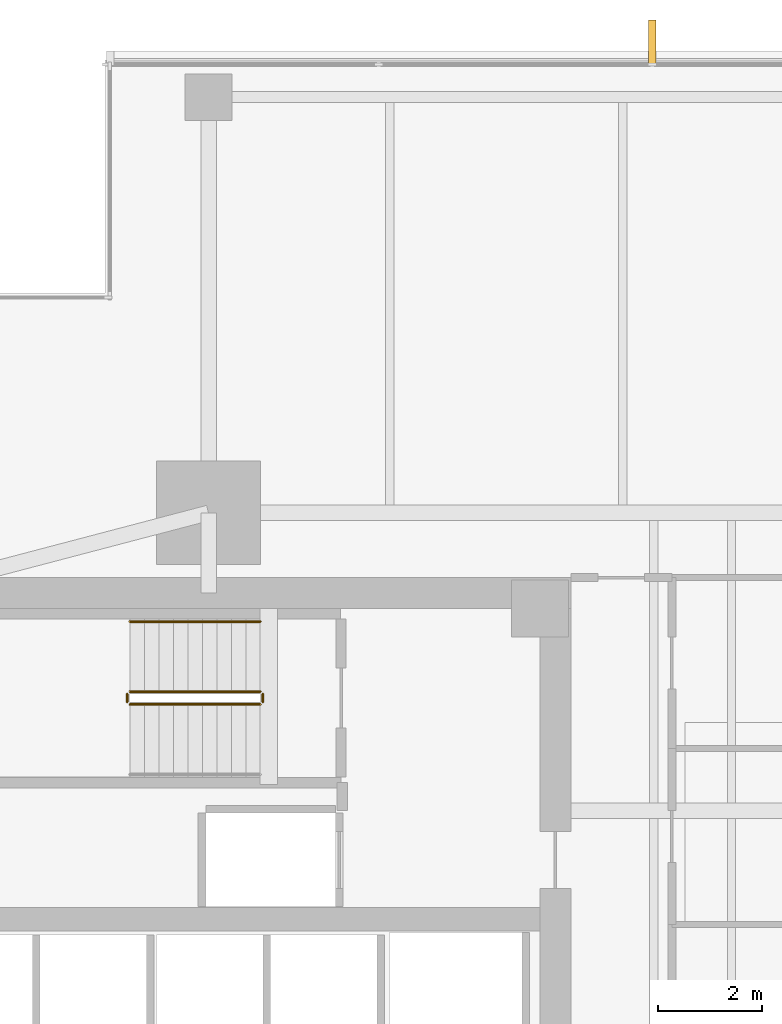
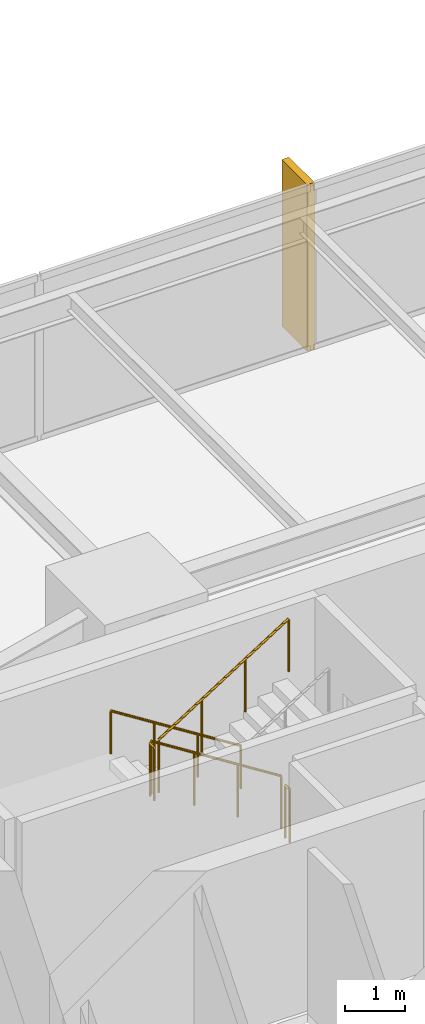
# One storey, part 13 of 14: 5 railings, 1 covering.
"""IFC4 building model written with IfcOpenShell, lengths in metres."""

from ifc_helpers import new_model, si_unit, direction, frame, origin, origin_2d, place, context, subcontext, project, spatial, polyline, circle, outline, extrude, material, layer, layer_set, type_object, element, save


model = new_model("IFC4")

# Units and contexts
model_context = context("Model", 3, precision=1e-05, world=origin(), true_north=direction((0.0, 1.0)))
body_context = subcontext(model_context, "Body", "Model", "MODEL_VIEW")
ifc_project = project(units=[si_unit("LENGTHUNIT", "METRE"), si_unit("AREAUNIT", "SQUARE_METRE"), si_unit("VOLUMEUNIT", "CUBIC_METRE"), si_unit("PLANEANGLEUNIT", "RADIAN"), si_unit("MASSUNIT", "GRAM", prefix="KILO")], contexts=[model_context])

# Site, building, storey
site_placement = place(None, origin())
site = spatial("IfcSite", under=ifc_project, at=site_placement, CompositionType="ELEMENT")
building_placement = place(site_placement, origin())
building = spatial("IfcBuilding", under=site, at=building_placement, Name="Kinhvarn Gate Tower", CompositionType="ELEMENT")
storey_placement = place(building_placement, frame((0.0, 0.0, 134.199951171875)))
storey = spatial("IfcBuildingStorey", under=building, at=storey_placement, Name="L35", CompositionType="ELEMENT", Elevation=134.199951171875)

# Covering
ifc_material_1 = material(Name="Fired architectural terracotta", Category="masonry")
ifc_layer = layer(ifc_material_1, 0.139892578125)
ifc_layer_set = layer_set([ifc_layer], Name="Fired architectural terracotta")
covering_type = type_object("IfcCoveringType", Name="COV-FIN-850", PredefinedType="CLADDING", material=ifc_layer_set)
covering_placement = place(storey_placement, frame((0.0, 0.0, -0.02001953125)))
element("IfcCovering", 1, at=covering_placement, inside=storey, type_object=covering_type, Name="Vertical Terracotta Expressive Fin TFN-850 (L35)", PredefinedType="CLADDING", context=body_context, shape_type="SweptSolid", body=[
    extrude(outline(polyline([(19.641357421875, 46.419921875), (19.50146484375, 46.419921875), (19.50146484375, 47.27001953125), (19.641357421875, 47.27001953125), (19.641357421875, 46.419921875)])), origin(), (0.0, 0.0, 1.0), 3.41015625),
])

# Railings
ifc_material_2 = material(Name="Steel S355", Category="steel")
railing_type_1 = type_object("IfcRailingType", Name="RL-ST-GRD", PredefinedType="BALUSTRADE", material=ifc_material_2)
railing_1_placement = place(storey_placement, frame((12.0, 34.300048828125, 0.177490234375)))
element("IfcRailing", 2, at=railing_1_placement, inside=storey, type_object=railing_type_1, Name="L35 ST2 stair guard 1", PredefinedType="BALUSTRADE", context=body_context, shape_type="SweptSolid", body=[
    extrude(circle(Radius=0.02392578125, at=origin_2d()), frame((0.0, 0.0, 1.076171875), z_axis=(-0.84456994832, 0.0, 0.535445237532), x_axis=(0.0, -1.0, 0.0)), (0.0, 0.0, 1.0), 2.98388671875),
    extrude(circle(Radius=0.02099609375, at=origin_2d()), origin(), (0.0, 0.0, 1.0), 1.052001953125),
    extrude(circle(Radius=0.02099609375, at=origin_2d()), frame((-0.840087890625, 0.0, 0.532470703125)), (0.0, 0.0, 1.0), 1.052001953125),
    extrude(circle(Radius=0.02099609375, at=origin_2d()), frame((-1.679931640625, 0.0, 1.065185546875)), (0.0, 0.0, 1.0), 1.052001953125),
    extrude(circle(Radius=0.02099609375, at=origin_2d()), frame((-2.52001953125, 0.0, 1.59765625)), (0.0, 0.0, 1.0), 1.052001953125),
])
railing_2_placement = place(storey_placement, frame((9.429931640625, 34.25, 1.775146484375)))
element("IfcRailing", 3, at=railing_2_placement, inside=storey, type_object=railing_type_1, Name="L35 ST2 stair guard 2", PredefinedType="BALUSTRADE", context=body_context, shape_type="SweptSolid", body=[
    extrude(circle(Radius=0.02392578125, at=origin_2d()), frame((0.0, 0.0, 1.076171875), z_axis=(0.0, -1.0, 0.0), x_axis=(1.0, 0.0, 0.0)), (0.0, 0.0, 1.0), 0.14990234375),
    extrude(circle(Radius=0.02099609375, at=origin_2d()), origin(), (0.0, 0.0, 1.0), 1.052001953125),
    extrude(circle(Radius=0.02099609375, at=origin_2d()), frame((0.0, -0.14990234375, 0.0)), (0.0, 0.0, 1.0), 1.052001953125),
])
railing_3_placement = place(storey_placement, frame((9.47998046875, 34.050048828125, 1.95263671875)))
element("IfcRailing", 4, at=railing_3_placement, inside=storey, type_object=railing_type_1, Name="L35 ST2 stair guard 3", PredefinedType="BALUSTRADE", context=body_context, shape_type="SweptSolid", body=[
    extrude(circle(Radius=0.02392578125, at=origin_2d()), frame((0.0, 0.0, 1.076171875), z_axis=(0.84460694969, 0.0, 0.535386869969), x_axis=(0.0, 1.0, 0.0)), (0.0, 0.0, 1.0), 2.983642578125),
    extrude(circle(Radius=0.02099609375, at=origin_2d()), origin(), (0.0, 0.0, 1.0), 1.052001953125),
    extrude(circle(Radius=0.02099609375, at=origin_2d()), frame((0.840087890625, 0.0, 0.532470703125)), (0.0, 0.0, 1.0), 1.052001953125),
    extrude(circle(Radius=0.02099609375, at=origin_2d()), frame((1.679931640625, 0.0, 1.06494140625)), (0.0, 0.0, 1.0), 1.052001953125),
    extrude(circle(Radius=0.02099609375, at=origin_2d()), frame((2.52001953125, 0.0, 1.597412109375)), (0.0, 0.0, 1.0), 1.052001953125),
])
railing_4_placement = place(storey_placement, frame((12.050048828125, 34.25, 0.0)))
element("IfcRailing", 5, at=railing_4_placement, inside=storey, type_object=railing_type_1, Name="L35 ST2 stair guard 4", PredefinedType="BALUSTRADE", context=body_context, shape_type="SweptSolid", body=[
    extrude(circle(Radius=0.02392578125, at=origin_2d()), frame((0.0, 0.0, 1.076171875), z_axis=(0.0, -1.0, 0.0), x_axis=(1.0, 0.0, 0.0)), (0.0, 0.0, 1.0), 0.14990234375),
    extrude(circle(Radius=0.02099609375, at=origin_2d()), origin(), (0.0, 0.0, 1.0), 1.052001953125),
    extrude(circle(Radius=0.02099609375, at=origin_2d()), frame((0.0, -0.14990234375, 0.0)), (0.0, 0.0, 1.0), 1.052001953125),
])
railing_type_2 = type_object("IfcRailingType", Name="RL-ST-HND", PredefinedType="HANDRAIL", material=ifc_material_2)
railing_5_placement = place(storey_placement, frame((12.0, 35.64990234375, 0.177490234375)))
element("IfcRailing", 6, at=railing_5_placement, inside=storey, type_object=railing_type_2, Name="L35 ST2 stair handrail 1", PredefinedType="HANDRAIL", context=body_context, shape_type="SweptSolid", body=[
    extrude(circle(Radius=0.02392578125, at=origin_2d()), frame((0.0, 0.0, 0.8759765625), z_axis=(-0.84456994832, 0.0, 0.535445237532), x_axis=(0.0, -1.0, 0.0)), (0.0, 0.0, 1.0), 2.98388671875),
    extrude(circle(Radius=0.02099609375, at=origin_2d()), origin(), (0.0, 0.0, 1.0), 0.851806640625),
    extrude(circle(Radius=0.02099609375, at=origin_2d()), frame((-0.840087890625, 0.0, 0.532470703125)), (0.0, 0.0, 1.0), 0.851806640625),
    extrude(circle(Radius=0.02099609375, at=origin_2d()), frame((-1.679931640625, 0.0, 1.065185546875)), (0.0, 0.0, 1.0), 0.851806640625),
    extrude(circle(Radius=0.02099609375, at=origin_2d()), frame((-2.52001953125, 0.0, 1.59765625)), (0.0, 0.0, 1.0), 0.851806640625),
])

save(model, "model.ifc")
